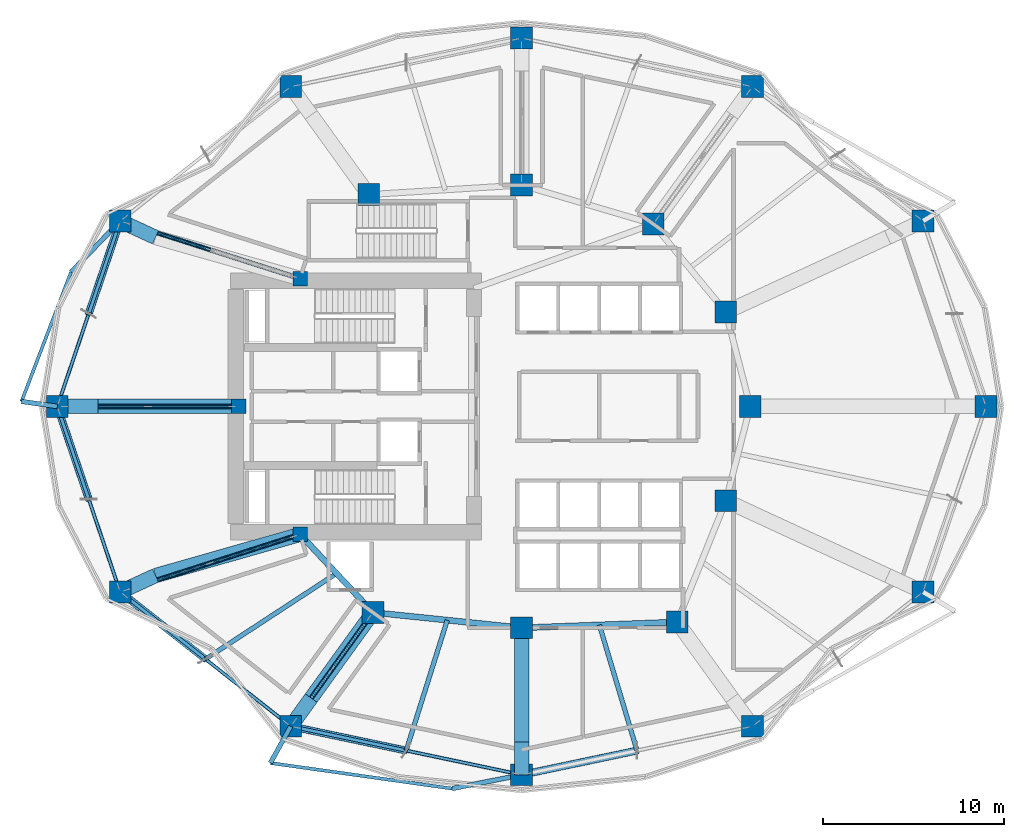
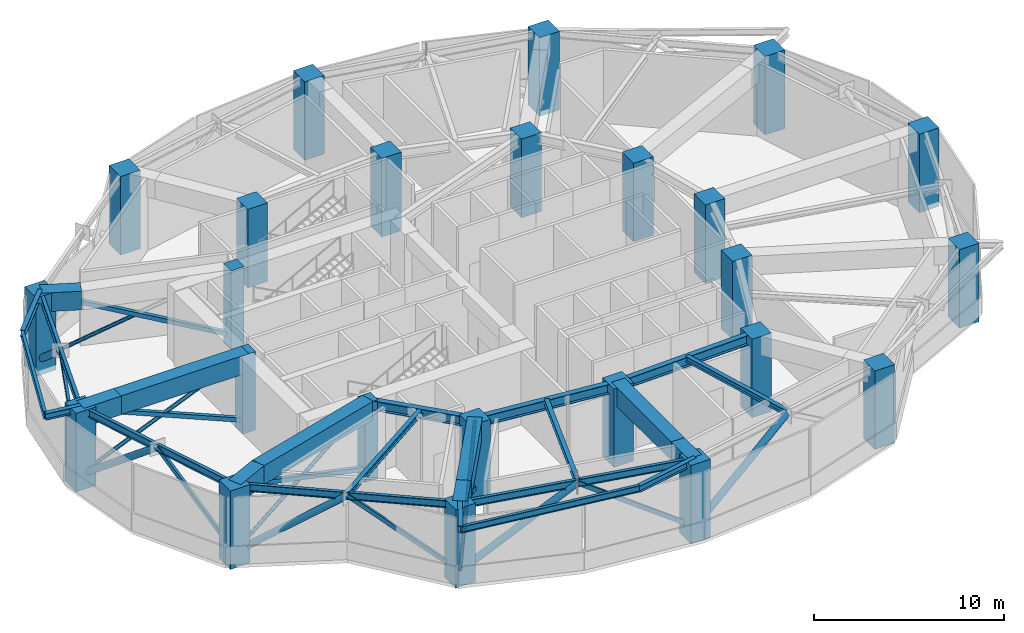
# One storey, part 1 of 12: 25 beams, 24 columns, 20 members.
"""IFC4 building model written with IfcOpenShell, lengths in metres."""

from ifc_helpers import new_model, si_unit, direction, frame, origin, origin_2d, place, context, subcontext, project, spatial, rectangle, hollow_rectangle, hollow_circle, i_section, extrude, material, material_profile, profile_set, type_object, element, save


model = new_model("IFC4")

# Units and contexts
model_context = context("Model", 3, precision=1e-05, world=origin(), true_north=direction((0.0, 1.0)))
body_context = subcontext(model_context, "Body", "Model", "MODEL_VIEW")
ifc_project = project(units=[si_unit("LENGTHUNIT", "METRE"), si_unit("AREAUNIT", "SQUARE_METRE"), si_unit("VOLUMEUNIT", "CUBIC_METRE"), si_unit("PLANEANGLEUNIT", "RADIAN"), si_unit("MASSUNIT", "GRAM", prefix="KILO")], contexts=[model_context])

# Site, building, storey
site_placement = place(None, origin())
site = spatial("IfcSite", under=ifc_project, at=site_placement, CompositionType="ELEMENT")
building_placement = place(site_placement, origin())
building = spatial("IfcBuilding", under=site, at=building_placement, Name="Kolvaren Gate Tower and Convention Centre", CompositionType="ELEMENT")
storey_placement = place(building_placement, frame((0.0, 0.0, 95.800048828125)))
storey = spatial("IfcBuildingStorey", under=building, at=storey_placement, Name="L23", CompositionType="ELEMENT", Elevation=95.800048828125)

# Columns
ifc_material_1 = material(Name="Concrete C70/85", Category="concrete")
ifc_material_profile_1 = material_profile(ifc_material_1, rectangle(XDim=1.199951171875, YDim=1.199951171875, at=origin_2d()), Name="RC-COL-1200X1200")
ifc_profile_set_1 = profile_set([ifc_material_profile_1], Name="Concrete C70/85")
column_type_1 = type_object("IfcColumnType", Name="STR-COL-RC1200", PredefinedType="COLUMN", material=ifc_profile_set_1)
for number, where, z_axis, x_axis, name in (
    (1, (55.71240234375, 27.0, -0.320068359375), (0.0, 0.0, 1.0), (1.0, 0.0, 0.0), "Tower L23 Perimeter Supercolumn TP-01"),
    (2, (52.248779296875, 37.218505859375, -0.320068359375), (0.0, 0.0, 1.0), (1.0, 0.0, 0.0), "Tower L23 Perimeter Supercolumn TP-02"),
    (3, (42.846435546875, 44.627197265625, -0.320068359375), (0.0, 0.0, 1.0), (1.0, 0.0, 0.0), "Tower L23 Perimeter Supercolumn TP-03"),
    (4, (30.125, 47.300048828125, -0.320068359375), (0.0, 0.0, 1.0), (1.0, 0.0, 0.0), "Tower L23 Perimeter Supercolumn TP-04"),
    (5, (17.40380859375, 44.627197265625, -0.320068359375), (0.0, 0.0, 1.0), (1.0, 0.0, 0.0), "Tower L23 Perimeter Supercolumn TP-05"),
    (6, (8.001220703125, 37.218505859375, -0.320068359375), (0.0, 0.0, 1.0), (1.0, 0.0, 0.0), "Tower L23 Perimeter Supercolumn TP-06"),
    (7, (4.53759765625, 27.0, -0.320068359375), (0.0, 0.0, 1.0), (1.0, 0.0, 0.0), "Tower L23 Perimeter Supercolumn TP-07"),
    (8, (8.001220703125, 16.781494140625, -0.320068359375), (0.0, 0.0, 1.0), (1.0, 0.0, 0.0), "Tower L23 Perimeter Supercolumn TP-08"),
    (9, (17.403564453125, 9.372802734375, -0.320068359375), (0.0, 0.0, 1.0), (1.0, 0.0, 0.0), "Tower L23 Perimeter Supercolumn TP-09"),
    (10, (30.125, 6.699951171875, -0.320068359375), (0.0, 0.0, 1.0), (1.0, 0.0, 0.0), "Tower L23 Perimeter Supercolumn TP-10"),
    (11, (42.846435546875, 9.372802734375, -0.320068359375), (0.0, 0.0, 1.0), (1.0, 0.0, 0.0), "Tower L23 Perimeter Supercolumn TP-11"),
    (12, (52.248779296875, 16.781494140625, -0.320068359375), (0.0, 0.0, 1.0), (1.0, 0.0, 0.0), "Tower L23 Perimeter Supercolumn TP-12"),
    (13, (42.72509765625, 27.0, -0.320068359375), (0.0, 0.0, 1.0), (1.0, 0.0, 0.0), "Tower L23 Interior Column TI-01"),
    (14, (41.382080078125, 32.199462890625, -0.320068359375), (0.0, 0.0, 1.0), (1.0, 0.0, 0.0), "Tower L23 Interior Column TI-02"),
    (15, (37.381591796875, 37.054931640625, -0.320068359375), (0.0, 0.0, 1.0), (1.0, 0.0, 0.0), "Tower L23 Interior Column TI-03"),
    (16, (30.125, 39.199951171875, -0.320068359375), (0.0, 0.0, 1.0), (1.0, 0.0, 0.0), "Tower L23 Interior Column TI-04"),
    (17, (21.697998046875, 38.6767578125, -0.320068359375), (0.0, 0.0, 1.0), (1.0, 0.0, 0.0), "Tower L23 Interior Column TI-05"),
    (18, (21.93212890625, 15.647705078125, -0.320068359375), (0.0, 0.0, 1.0), (1.0, 0.0, 0.0), "Tower L23 Interior Column TI-06"),
    (19, (30.125, 14.800048828125, -0.320068359375), (0.0, 0.0, 1.0), (1.0, 0.0, 0.0), "Tower L23 Interior Column TI-07"),
    (20, (38.6982421875, 15.12060546875, -0.320068359375), (0.0, 0.0, 1.0), (1.0, 0.0, 0.0), "Tower L23 Interior Column TI-08"),
    (21, (41.382080078125, 21.800537109375, -0.320068359375), (0.0, 0.0, 1.0), (1.0, 0.0, 0.0), "Tower L23 Interior Column TI-09"),
):
    element("IfcColumn", number, at=place(storey_placement, frame(where, z_axis=z_axis, x_axis=x_axis)), inside=storey, type_object=column_type_1, Name=name, PredefinedType="COLUMN", context=body_context, shape_type="SweptSolid", body=[
        extrude(rectangle(XDim=1.199951171875, YDim=1.199951171875, at=origin_2d()), origin(), (0.0, 0.0, 1.0), 5.0400390625),
    ])
ifc_material_2 = material(Name="Concrete C60/75", Category="concrete")
ifc_material_profile_2 = material_profile(ifc_material_2, rectangle(XDim=0.800048828125, YDim=0.800048828125, at=origin_2d()), Name="RC-COL-800X800")
ifc_profile_set_2 = profile_set([ifc_material_profile_2], Name="Concrete C60/75")
column_type_2 = type_object("IfcColumnType", Name="STR-PIL-RC800", PredefinedType="PILASTER", material=ifc_profile_set_2)
for number, where, z_axis, x_axis, name in (
    (22, (17.9140625, 34.050048828125, -0.320068359375), (0.0, 0.0, 1.0), (1.0, 0.0, 0.0), "Tower L23 Core Boundary Pilaster TC-05"),
    (23, (14.550048828125, 27.0, -0.320068359375), (0.0, 0.0, 1.0), (1.0, 0.0, 0.0), "Tower L23 Core Boundary Pilaster TC-06"),
    (24, (17.9140625, 19.949951171875, -0.320068359375), (0.0, 0.0, 1.0), (1.0, 0.0, 0.0), "Tower L23 Core Boundary Pilaster TC-07"),
):
    element("IfcColumn", number, at=place(storey_placement, frame(where, z_axis=z_axis, x_axis=x_axis)), inside=storey, type_object=column_type_2, Name=name, PredefinedType="PILASTER", context=body_context, shape_type="SweptSolid", body=[
        extrude(rectangle(XDim=0.800048828125, YDim=0.800048828125, at=origin_2d()), origin(), (0.0, 0.0, 1.0), 5.0400390625),
    ])

# Beams
ifc_material_3 = material(Name="Structural steel ASTM A992 Grade 345 MPa", Category="steel")
ifc_material_profile_3 = material_profile(ifc_material_3, i_section(OverallWidth=0.260009765625, OverallDepth=0.419921875, WebThickness=0.013427734375, FlangeThickness=0.0224609375, at=origin_2d()), Name="W410X132")
ifc_profile_set_3 = profile_set([ifc_material_profile_3], Name="Structural steel ASTM A992 Grade 345 MPa")
beam_type_1 = type_object("IfcBeamType", Name="STR-BM-W410X132", PredefinedType="BEAM", material=ifc_profile_set_3)
beam_1_placement = place(storey_placement, frame((8.001220703125, 37.218505859375, 4.510498046875), z_axis=(-0.693806480984, -0.720161486713, 0.0), x_axis=(0.720161486713, -0.693806480984, 0.0)))
element("IfcBeam", 25, at=beam_1_placement, inside=storey, type_object=beam_type_1, Name="Tower L24 Planted Balcony Outrigger Cantilever BC-2A", PredefinedType="BEAM", context=body_context, shape_type="SweptSolid", body=[
    extrude(i_section(OverallWidth=0.260009765625, OverallDepth=0.419921875, WebThickness=0.013427734375, FlangeThickness=0.0224609375, at=origin_2d()), origin(), (0.0, 0.0, 1.0), 3.89990234375),
])
beam_2_placement = place(storey_placement, frame((4.53759765625, 27.0, 4.510498046875), z_axis=(-0.990268200234, 0.139172165338, 0.0), x_axis=(-0.139172165338, -0.990268200234, 0.0)))
element("IfcBeam", 26, at=beam_2_placement, inside=storey, type_object=beam_type_1, Name="Tower L24 Planted Balcony Outrigger Cantilever BC-2B", PredefinedType="BEAM", context=body_context, shape_type="SweptSolid", body=[
    extrude(i_section(OverallWidth=0.260009765625, OverallDepth=0.419921875, WebThickness=0.013427734375, FlangeThickness=0.0224609375, at=origin_2d()), origin(), (0.0, 0.0, 1.0), 1.990966796875),
])
beam_3_placement = place(storey_placement, frame((17.403564453125, 9.372802734375, 4.510498046875), z_axis=(-0.485158658447, -0.87442614104, 0.0), x_axis=(0.87442614104, -0.485158658447, 0.0)))
element("IfcBeam", 27, at=beam_3_placement, inside=storey, type_object=beam_type_1, Name="Tower L24 Planted Balcony Outrigger Cantilever BC-3A", PredefinedType="BEAM", context=body_context, shape_type="SweptSolid", body=[
    extrude(i_section(OverallWidth=0.260009765625, OverallDepth=0.419921875, WebThickness=0.013427734375, FlangeThickness=0.0224609375, at=origin_2d()), origin(), (0.0, 0.0, 1.0), 2.311767578125),
])
beam_4_placement = place(storey_placement, frame((30.125, 6.699951171875, 4.510498046875), z_axis=(-0.980851810971, -0.194755551693, 0.0), x_axis=(0.194755551693, -0.980851810971, 0.0)))
element("IfcBeam", 28, at=beam_4_placement, inside=storey, type_object=beam_type_1, Name="Tower L24 Planted Balcony Outrigger Cantilever BC-3B", PredefinedType="BEAM", context=body_context, shape_type="SweptSolid", body=[
    extrude(i_section(OverallWidth=0.260009765625, OverallDepth=0.419921875, WebThickness=0.013427734375, FlangeThickness=0.0224609375, at=origin_2d()), origin(), (0.0, 0.0, 1.0), 3.89990234375),
])
ifc_material_profile_4 = material_profile(ifc_material_3, i_section(OverallWidth=0.327880859375, OverallDepth=0.6279296875, WebThickness=0.0166015625, FlangeThickness=0.027587890625, at=origin_2d()), Name="W610X217")
ifc_profile_set_4 = profile_set([ifc_material_profile_4], Name="Structural steel ASTM A992 Grade 345 MPa")
beam_type_2 = type_object("IfcBeamType", Name="STR-BM-W610X217", PredefinedType="BEAM", material=ifc_profile_set_4)
beam_5_placement = place(storey_placement, frame((17.9140625, 19.949951171875, 4.406005859375), z_axis=(0.682557592987, -0.730831808459, 0.0), x_axis=(0.730831808459, 0.682557592987, 0.0)))
element("IfcBeam", 29, at=beam_5_placement, inside=storey, type_object=beam_type_2, Name="Tower L23 Primary Ring Girder G-06", PredefinedType="BEAM", context=body_context, shape_type="SweptSolid", body=[
    extrude(i_section(OverallWidth=0.327880859375, OverallDepth=0.6279296875, WebThickness=0.0166015625, FlangeThickness=0.027587890625, at=origin_2d()), origin(), (0.0, 0.0, 1.0), 5.88671875),
])
beam_6_placement = place(storey_placement, frame((21.93212890625, 15.647705078125, 4.406005859375), z_axis=(0.994690329115, -0.102913308978, 0.0), x_axis=(0.102913308978, 0.994690329115, 0.0)))
element("IfcBeam", 30, at=beam_6_placement, inside=storey, type_object=beam_type_2, Name="Tower L23 Primary Ring Girder G-07", PredefinedType="BEAM", context=body_context, shape_type="SweptSolid", body=[
    extrude(i_section(OverallWidth=0.327880859375, OverallDepth=0.6279296875, WebThickness=0.0166015625, FlangeThickness=0.027587890625, at=origin_2d()), origin(), (0.0, 0.0, 1.0), 8.236572265625),
])
beam_7_placement = place(storey_placement, frame((30.125, 14.800048828125, 4.406005859375), z_axis=(0.999301712453, 0.037364254142, 0.0), x_axis=(-0.037364254142, 0.999301712453, 0.0)))
element("IfcBeam", 31, at=beam_7_placement, inside=storey, type_object=beam_type_2, Name="Tower L23 Primary Ring Girder G-08", PredefinedType="BEAM", context=body_context, shape_type="SweptSolid", body=[
    extrude(i_section(OverallWidth=0.327880859375, OverallDepth=0.6279296875, WebThickness=0.0166015625, FlangeThickness=0.027587890625, at=origin_2d()), origin(), (0.0, 0.0, 1.0), 8.579345703125),
])

# Members
ifc_material_4 = material(Name="Structural steel ASTM A500 Grade C 345 MPa", Category="steel")
ifc_material_profile_5 = material_profile(ifc_material_4, hollow_circle(Radius=0.202880859375, WallThickness=0.015869140625, at=origin_2d()), Name="CHS406X15.9")
ifc_profile_set_5 = profile_set([ifc_material_profile_5], Name="Structural steel ASTM A500 Grade C 345 MPa")
member_type_1 = type_object("IfcMemberType", Name="STR-BR-CHS406", PredefinedType="BRACE", material=ifc_profile_set_5)
member_1_placement = place(storey_placement, frame((8.001220703125, 37.218505859375, 0.25), z_axis=(-0.252518321771, -0.744918370412, 0.617520136184), x_axis=(0.947064480109, -0.321043409084, 0.0)))
element("IfcMember", 32, at=member_1_placement, inside=storey, type_object=member_type_1, Name="Perimeter Belt Truss Diagonal BT-L23-06A", PredefinedType="BRACE", context=body_context, shape_type="SweptSolid", body=[
    extrude(hollow_circle(Radius=0.202880859375, WallThickness=0.015869140625, at=origin_2d()), origin(), (0.0, 0.0, 1.0), 6.858642578125),
])
member_2_placement = place(storey_placement, frame((4.53759765625, 27.0, 0.25), z_axis=(0.252478300136, -0.744940908678, 0.617509312106), x_axis=(0.947082902393, 0.320989058996, 0.0)))
element("IfcMember", 33, at=member_2_placement, inside=storey, type_object=member_type_1, Name="Perimeter Belt Truss Diagonal BT-L23-07A", PredefinedType="BRACE", context=body_context, shape_type="SweptSolid", body=[
    extrude(hollow_circle(Radius=0.202880859375, WallThickness=0.015869140625, at=origin_2d()), origin(), (0.0, 0.0, 1.0), 6.85888671875),
])
member_3_placement = place(storey_placement, frame((8.001220703125, 16.781494140625, 0.25), z_axis=(0.641166549876, -0.505215001105, 0.577635921648), x_axis=(0.618912646407, 0.785459824636, 0.0)))
element("IfcMember", 34, at=member_3_placement, inside=storey, type_object=member_type_1, Name="Perimeter Belt Truss Diagonal BT-L23-08A", PredefinedType="BRACE", context=body_context, shape_type="SweptSolid", body=[
    extrude(hollow_circle(Radius=0.202880859375, WallThickness=0.015869140625, at=origin_2d()), origin(), (0.0, 0.0, 1.0), 7.332275390625),
])
for number, where, z_axis, x_axis, name in (
    (35, (17.403564453125, 9.372802734375, 0.25), (0.819925538219, -0.172236603618, 0.545945660437), (0.20557695324, 0.978640953719, 0.0), "Perimeter Belt Truss Diagonal BT-L23-09A"),
    (36, (30.125, 6.699951171875, 0.25), (0.819906333973, 0.172302121771, 0.545953828034), (-0.205656460373, 0.978624248783, 0.0), "Perimeter Belt Truss Diagonal BT-L23-10A"),
):
    element("IfcMember", number, at=place(storey_placement, frame(where, z_axis=z_axis, x_axis=x_axis)), inside=storey, type_object=member_type_1, Name=name, PredefinedType="BRACE", context=body_context, shape_type="SweptSolid", body=[
        extrude(hollow_circle(Radius=0.202880859375, WallThickness=0.015869140625, at=origin_2d()), origin(), (0.0, 0.0, 1.0), 7.7578125),
    ])
ifc_material_profile_6 = material_profile(ifc_material_4, hollow_rectangle(XDim=0.152099609375, YDim=0.25390625, WallThickness=0.009521484375, at=origin_2d()), Name="HSS254X152X9.5")
ifc_profile_set_6 = profile_set([ifc_material_profile_6], Name="Structural steel ASTM A500 Grade C 345 MPa")
member_type_2 = type_object("IfcMemberType", Name="STR-BR-HSS254X152", PredefinedType="BRACE", material=ifc_profile_set_6)
member_4_placement = place(storey_placement, frame((4.53759765625, 27.0, 0.25), z_axis=(0.252478300136, 0.744940908678, 0.617509312106), x_axis=(-0.947082902393, 0.320989058996, 0.0)))
element("IfcMember", 37, at=member_4_placement, inside=storey, type_object=member_type_2, Name="Perimeter Belt Truss Diagonal BT-L23-06B", PredefinedType="BRACE", context=body_context, shape_type="SweptSolid", body=[
    extrude(hollow_rectangle(XDim=0.152099609375, YDim=0.25390625, WallThickness=0.009521484375, at=origin_2d()), origin(), (0.0, 0.0, 1.0), 6.85888671875),
])
member_5_placement = place(storey_placement, frame((8.001220703125, 16.781494140625, 0.25), z_axis=(-0.252518321771, 0.744918370412, 0.617520136184), x_axis=(-0.947064480109, -0.321043409084, 0.0)))
element("IfcMember", 38, at=member_5_placement, inside=storey, type_object=member_type_2, Name="Perimeter Belt Truss Diagonal BT-L23-07B", PredefinedType="BRACE", context=body_context, shape_type="SweptSolid", body=[
    extrude(hollow_rectangle(XDim=0.152099609375, YDim=0.25390625, WallThickness=0.009521484375, at=origin_2d()), origin(), (0.0, 0.0, 1.0), 6.858642578125),
])
member_6_placement = place(storey_placement, frame((17.403564453125, 9.372802734375, 0.25), z_axis=(-0.641166549876, 0.505215001105, 0.577635921648), x_axis=(-0.618912646407, -0.785459824636, 0.0)))
element("IfcMember", 39, at=member_6_placement, inside=storey, type_object=member_type_2, Name="Perimeter Belt Truss Diagonal BT-L23-08B", PredefinedType="BRACE", context=body_context, shape_type="SweptSolid", body=[
    extrude(hollow_rectangle(XDim=0.152099609375, YDim=0.25390625, WallThickness=0.009521484375, at=origin_2d()), origin(), (0.0, 0.0, 1.0), 7.332275390625),
])
member_7_placement = place(storey_placement, frame((30.125, 6.699951171875, 0.25), z_axis=(-0.819906333973, 0.172302121771, 0.545953828034), x_axis=(-0.205656460373, -0.978624248783, 0.0)))
element("IfcMember", 40, at=member_7_placement, inside=storey, type_object=member_type_2, Name="Perimeter Belt Truss Diagonal BT-L23-09B", PredefinedType="BRACE", context=body_context, shape_type="SweptSolid", body=[
    extrude(hollow_rectangle(XDim=0.152099609375, YDim=0.25390625, WallThickness=0.009521484375, at=origin_2d()), origin(), (0.0, 0.0, 1.0), 7.7578125),
])
ifc_material_profile_7 = material_profile(ifc_material_4, hollow_rectangle(XDim=0.25390625, YDim=0.25390625, WallThickness=0.015869140625, at=origin_2d()), Name="HSS254X254X15.9")
ifc_profile_set_7 = profile_set([ifc_material_profile_7], Name="Structural steel ASTM A500 Grade C 345 MPa")
member_type_3 = type_object("IfcMemberType", Name="STR-BR-HSS254X254", PredefinedType="BRACE", material=ifc_profile_set_7)
member_8_placement = place(storey_placement, frame((17.9140625, 34.050048828125, 0.25), z_axis=(-0.882260148961, 0.281998182726, 0.376953650326), x_axis=(-0.304457355507, -0.952525967456, 0.0)))
element("IfcMember", 41, at=member_8_placement, inside=storey, type_object=member_type_3, Name="Outrigger Truss Diagonal OT-L23-01A", PredefinedType="BRACE", context=body_context, shape_type="SweptSolid", body=[
    extrude(hollow_rectangle(XDim=0.25390625, YDim=0.25390625, WallThickness=0.015869140625, at=origin_2d()), origin(), (0.0, 0.0, 1.0), 11.23583984375),
])
member_9_placement = place(storey_placement, frame((14.550048828125, 27.0, 0.25), z_axis=(-0.920989875721, 0.0, 0.389586510058), x_axis=(0.0, -1.0, 0.0)))
element("IfcMember", 42, at=member_9_placement, inside=storey, type_object=member_type_3, Name="Outrigger Truss Diagonal OT-L23-02A", PredefinedType="BRACE", context=body_context, shape_type="SweptSolid", body=[
    extrude(hollow_rectangle(XDim=0.25390625, YDim=0.25390625, WallThickness=0.015869140625, at=origin_2d()), origin(), (0.0, 0.0, 1.0), 10.871337890625),
])
member_10_placement = place(storey_placement, frame((17.9140625, 19.949951171875, 0.25), z_axis=(-0.882260148961, -0.281998182726, 0.376953650326), x_axis=(0.304457355507, -0.952525967456, 0.0)))
element("IfcMember", 43, at=member_10_placement, inside=storey, type_object=member_type_3, Name="Outrigger Truss Diagonal OT-L23-03A", PredefinedType="BRACE", context=body_context, shape_type="SweptSolid", body=[
    extrude(hollow_rectangle(XDim=0.25390625, YDim=0.25390625, WallThickness=0.015869140625, at=origin_2d()), origin(), (0.0, 0.0, 1.0), 11.23583984375),
])
member_11_placement = place(storey_placement, frame((21.93212890625, 15.647705078125, 0.25), z_axis=(-0.513349980203, -0.711311725225, 0.480111890483), x_axis=(0.810882170821, -0.585209453994, 0.0)))
element("IfcMember", 44, at=member_11_placement, inside=storey, type_object=member_type_3, Name="Outrigger Truss Diagonal OT-L23-06A", PredefinedType="BRACE", context=body_context, shape_type="SweptSolid", body=[
    extrude(hollow_rectangle(XDim=0.25390625, YDim=0.25390625, WallThickness=0.015869140625, at=origin_2d()), origin(), (0.0, 0.0, 1.0), 8.821533203125),
])

# Beams
ifc_material_profile_8 = material_profile(ifc_material_3, i_section(OverallWidth=0.2548828125, OverallDepth=0.35693359375, WebThickness=0.010498046875, FlangeThickness=0.018310546875, at=origin_2d()), Name="W360X101")
ifc_profile_set_8 = profile_set([ifc_material_profile_8], Name="Structural steel ASTM A992 Grade 345 MPa")
beam_type_3 = type_object("IfcBeamType", Name="STR-JS-W360X101", PredefinedType="JOIST", material=ifc_profile_set_8)
beam_8_placement = place(storey_placement, frame((19.923095703125, 17.798828125, 4.54150390625), z_axis=(-0.836945684387, -0.547285959428, 0.0), x_axis=(0.547285959428, -0.836945684387, 0.0)))
element("IfcBeam", 45, at=beam_8_placement, inside=storey, type_object=beam_type_3, Name="Tower L23 Secondary Composite Floor Joist J-08.1", PredefinedType="JOIST", context=body_context, shape_type="SweptSolid", body=[
    extrude(i_section(OverallWidth=0.2548828125, OverallDepth=0.35693359375, WebThickness=0.010498046875, FlangeThickness=0.018310546875, at=origin_2d()), origin(), (0.0, 0.0, 1.0), 8.62744140625),
])
beam_9_placement = place(storey_placement, frame((26.028564453125, 15.223876953125, 4.54150390625), z_axis=(-0.300467647472, -0.953792007108, 0.0), x_axis=(0.953792007108, -0.300467647472, 0.0)))
element("IfcBeam", 46, at=beam_9_placement, inside=storey, type_object=beam_type_3, Name="Tower L23 Secondary Composite Floor Joist J-09.1", PredefinedType="JOIST", context=body_context, shape_type="SweptSolid", body=[
    extrude(i_section(OverallWidth=0.2548828125, OverallDepth=0.35693359375, WebThickness=0.010498046875, FlangeThickness=0.018310546875, at=origin_2d()), origin(), (0.0, 0.0, 1.0), 7.535400390625),
])
beam_10_placement = place(storey_placement, frame((34.41162109375, 14.960205078125, 4.54150390625), z_axis=(0.286954287166, -0.957944276603, 0.0), x_axis=(0.957944276603, 0.286954287166, 0.0)))
element("IfcBeam", 47, at=beam_10_placement, inside=storey, type_object=beam_type_3, Name="Tower L23 Secondary Composite Floor Joist J-10.1", PredefinedType="JOIST", context=body_context, shape_type="SweptSolid", body=[
    extrude(i_section(OverallWidth=0.2548828125, OverallDepth=0.35693359375, WebThickness=0.010498046875, FlangeThickness=0.018310546875, at=origin_2d()), origin(), (0.0, 0.0, 1.0), 7.2275390625),
])
ifc_material_profile_9 = material_profile(ifc_material_3, i_section(OverallWidth=0.180908203125, OverallDepth=0.4169921875, WebThickness=0.010986328125, FlangeThickness=0.018310546875, at=origin_2d()), Name="W410X85")
ifc_profile_set_9 = profile_set([ifc_material_profile_9], Name="Structural steel ASTM A992 Grade 345 MPa")
beam_type_4 = type_object("IfcBeamType", Name="STR-SP-W410X85", PredefinedType="SPANDREL", material=ifc_profile_set_9)
beam_11_placement = place(storey_placement, frame((5.29541015625, 34.409912109375, 4.511962890625), z_axis=(-0.357393383533, -0.933953943943, 0.0), x_axis=(0.933953943943, -0.357393383533, 0.0)))
element("IfcBeam", 48, at=beam_11_placement, inside=storey, type_object=beam_type_4, Name="Tower L24 Planted Balcony Header Tie Beam BT-2", PredefinedType="SPANDREL", context=body_context, shape_type="SweptSolid", body=[
    extrude(i_section(OverallWidth=0.180908203125, OverallDepth=0.4169921875, WebThickness=0.010986328125, FlangeThickness=0.018310546875, at=origin_2d()), origin(), (0.0, 0.0, 1.0), 7.63720703125),
])
beam_12_placement = place(storey_placement, frame((16.281982421875, 7.351318359375, 4.511962890625), z_axis=(0.990227490846, -0.139461522911, 0.0), x_axis=(0.139461522911, 0.990227490846, 0.0)))
element("IfcBeam", 49, at=beam_12_placement, inside=storey, type_object=beam_type_4, Name="Tower L24 Planted Balcony Header Tie Beam BT-3", PredefinedType="SPANDREL", context=body_context, shape_type="SweptSolid", body=[
    extrude(i_section(OverallWidth=0.180908203125, OverallDepth=0.4169921875, WebThickness=0.010986328125, FlangeThickness=0.018310546875, at=origin_2d()), origin(), (0.0, 0.0, 1.0), 10.11669921875),
])
ifc_material_profile_10 = material_profile(ifc_material_3, i_section(OverallWidth=0.194091796875, OverallDepth=0.468994140625, WebThickness=0.0126953125, FlangeThickness=0.0205078125, at=origin_2d()), Name="W460X106")
ifc_profile_set_10 = profile_set([ifc_material_profile_10], Name="Structural steel ASTM A992 Grade 345 MPa")
beam_type_5 = type_object("IfcBeamType", Name="STR-SP-W460X106", PredefinedType="SPANDREL", material=ifc_profile_set_10)
for number, where, z_axis, x_axis, name in (
    (50, (8.001220703125, 37.218505859375, 4.4853515625), (-0.321016233787, -0.947073691771, 0.0), (0.947073691771, -0.321016233787, 0.0), "Tower L23 Perimeter Spandrel Beam SP-06"),
    (51, (4.53759765625, 27.0, 4.4853515625), (0.321016233787, -0.947073691771, 0.0), (0.947073691771, 0.321016233787, 0.0), "Tower L23 Perimeter Spandrel Beam SP-07"),
):
    element("IfcBeam", number, at=place(storey_placement, frame(where, z_axis=z_axis, x_axis=x_axis)), inside=storey, type_object=beam_type_5, Name=name, PredefinedType="SPANDREL", context=body_context, shape_type="SweptSolid", body=[
        extrude(i_section(OverallWidth=0.194091796875, OverallDepth=0.468994140625, WebThickness=0.0126953125, FlangeThickness=0.0205078125, at=origin_2d()), origin(), (0.0, 0.0, 1.0), 10.78955078125),
    ])
beam_13_placement = place(storey_placement, frame((8.001220703125, 16.781494140625, 4.4853515625), z_axis=(0.785459824636, -0.618912646407, 0.0), x_axis=(0.618912646407, 0.785459824636, 0.0)))
element("IfcBeam", 52, at=beam_13_placement, inside=storey, type_object=beam_type_5, Name="Tower L23 Perimeter Spandrel Beam SP-08", PredefinedType="SPANDREL", context=body_context, shape_type="SweptSolid", body=[
    extrude(i_section(OverallWidth=0.194091796875, OverallDepth=0.468994140625, WebThickness=0.0126953125, FlangeThickness=0.0205078125, at=origin_2d()), origin(), (0.0, 0.0, 1.0), 11.970458984375),
])
beam_14_placement = place(storey_placement, frame((17.403564453125, 9.372802734375, 4.4853515625), z_axis=(0.978632602148, -0.205616706552, 0.0), x_axis=(0.205616706552, 0.978632602148, 0.0)))
element("IfcBeam", 53, at=beam_14_placement, inside=storey, type_object=beam_type_5, Name="Tower L23 Perimeter Spandrel Beam SP-09", PredefinedType="SPANDREL", context=body_context, shape_type="SweptSolid", body=[
    extrude(i_section(OverallWidth=0.194091796875, OverallDepth=0.468994140625, WebThickness=0.0126953125, FlangeThickness=0.0205078125, at=origin_2d()), origin(), (0.0, 0.0, 1.0), 12.999267578125),
])

# Members
ifc_material_profile_11 = material_profile(ifc_material_4, hollow_circle(Radius=0.109619140625, WallThickness=0.0126953125, at=origin_2d()), Name="CHS219X12.7")
ifc_profile_set_11 = profile_set([ifc_material_profile_11], Name="Structural steel ASTM A500 Grade C 345 MPa")
member_type_4 = type_object("IfcMemberType", Name="STR-ST-CHS219", PredefinedType="STRUT", material=ifc_profile_set_11)
member_12_placement = place(storey_placement, frame((8.001220703125, 37.218505859375, 0.25), z_axis=(0.88225533332, -0.282003588883, 0.376960876864), x_axis=(0.304464158988, 0.952523792822, 0.0)))
element("IfcMember", 54, at=member_12_placement, inside=storey, type_object=member_type_4, Name="Outrigger Truss Lower Counter-Strut OT-L23-01BA", PredefinedType="STRUT", context=body_context, shape_type="SweptSolid", body=[
    extrude(hollow_circle(Radius=0.109619140625, WallThickness=0.0126953125, at=origin_2d()), origin(), (0.0, 0.0, 1.0), 5.61767578125),
])
member_13_placement = place(storey_placement, frame((4.53759765625, 27.0, 0.25), z_axis=(0.920986467123, 0.0, 0.38959456795), x_axis=(0.0, 1.0, 0.0)))
element("IfcMember", 55, at=member_13_placement, inside=storey, type_object=member_type_4, Name="Outrigger Truss Lower Counter-Strut OT-L23-02BA", PredefinedType="STRUT", context=body_context, shape_type="SweptSolid", body=[
    extrude(hollow_circle(Radius=0.109619140625, WallThickness=0.0126953125, at=origin_2d()), origin(), (0.0, 0.0, 1.0), 5.435546875),
])
member_14_placement = place(storey_placement, frame((9.543701171875, 27.0, 2.36767578125), z_axis=(0.920993284108, 0.0, 0.38957845247), x_axis=(0.0, 1.0, 0.0)))
element("IfcMember", 56, at=member_14_placement, inside=storey, type_object=member_type_4, Name="Outrigger Truss Upper Counter-Strut OT-L23-02BB", PredefinedType="STRUT", context=body_context, shape_type="SweptSolid", body=[
    extrude(hollow_circle(Radius=0.109619140625, WallThickness=0.0126953125, at=origin_2d()), origin(), (0.0, 0.0, 1.0), 5.435791015625),
])
member_15_placement = place(storey_placement, frame((8.001220703125, 16.781494140625, 0.25), z_axis=(0.88225533332, 0.282003588883, 0.376960876864), x_axis=(-0.304464158988, 0.952523792822, 0.0)))
element("IfcMember", 57, at=member_15_placement, inside=storey, type_object=member_type_4, Name="Outrigger Truss Lower Counter-Strut OT-L23-03BA", PredefinedType="STRUT", context=body_context, shape_type="SweptSolid", body=[
    extrude(hollow_circle(Radius=0.109619140625, WallThickness=0.0126953125, at=origin_2d()), origin(), (0.0, 0.0, 1.0), 5.61767578125),
])
member_16_placement = place(storey_placement, frame((12.95751953125, 18.36572265625, 2.36767578125), z_axis=(0.882264964326, 0.281992776747, 0.376946424025), x_axis=(-0.304450552314, 0.952528141944, 0.0)))
element("IfcMember", 58, at=member_16_placement, inside=storey, type_object=member_type_4, Name="Outrigger Truss Upper Counter-Strut OT-L23-03BB", PredefinedType="STRUT", context=body_context, shape_type="SweptSolid", body=[
    extrude(hollow_circle(Radius=0.109619140625, WallThickness=0.0126953125, at=origin_2d()), origin(), (0.0, 0.0, 1.0), 5.617919921875),
])
member_17_placement = place(storey_placement, frame((17.403564453125, 9.372802734375, 0.25), z_axis=(0.51337036188, 0.711301619464, 0.480105069429), x_axis=(-0.810867199518, 0.58523019808, 0.0)))
element("IfcMember", 59, at=member_17_placement, inside=storey, type_object=member_type_4, Name="Outrigger Truss Lower Counter-Strut OT-L23-06BA", PredefinedType="STRUT", context=body_context, shape_type="SweptSolid", body=[
    extrude(hollow_circle(Radius=0.109619140625, WallThickness=0.0126953125, at=origin_2d()), origin(), (0.0, 0.0, 1.0), 4.410888671875),
])
member_18_placement = place(storey_placement, frame((19.66796875, 12.51025390625, 2.36767578125), z_axis=(0.513329597658, 0.711321830871, 0.48011871146), x_axis=(-0.810897142146, 0.585188708759, 0.0)))
element("IfcMember", 60, at=member_18_placement, inside=storey, type_object=member_type_4, Name="Outrigger Truss Upper Counter-Strut OT-L23-06BB", PredefinedType="STRUT", context=body_context, shape_type="SweptSolid", body=[
    extrude(hollow_circle(Radius=0.109619140625, WallThickness=0.0126953125, at=origin_2d()), origin(), (0.0, 0.0, 1.0), 4.41064453125),
])

# Beams
ifc_material_profile_12 = material_profile(ifc_material_1, rectangle(XDim=0.800048828125, YDim=1.199951171875, at=origin_2d()), Name="RC-BM-800X1200")
ifc_profile_set_12 = profile_set([ifc_material_profile_12], Name="Concrete C70/85")
beam_type_6 = type_object("IfcBeamType", Name="STR-TG-RC800X1200", PredefinedType="USERDEFINED", material=ifc_profile_set_12)
beam_15_placement = place(storey_placement, frame((9.94970703125, 36.318603515625, 4.120361328125), z_axis=(-0.907852816922, 0.419288996764, 0.0), x_axis=(-0.419288996764, -0.907852816922, 0.0)))
element("IfcBeam", 61, at=beam_15_placement, inside=storey, type_object=beam_type_6, Name="Tower L23 Zone-Transition Radial Transfer Girder XFG-06B", ObjectType="TRANSFER GIRDER", PredefinedType="USERDEFINED", context=body_context, shape_type="SweptSolid", body=[
    extrude(rectangle(XDim=0.800048828125, YDim=1.199951171875, at=origin_2d()), origin(), (0.0, 0.0, 1.0), 2.146240234375),
])
beam_16_placement = place(storey_placement, frame((14.550048828125, 27.0, 4.120361328125), z_axis=(-1.0, 0.0, 0.0), x_axis=(0.0, -1.0, 0.0)))
element("IfcBeam", 62, at=beam_16_placement, inside=storey, type_object=beam_type_6, Name="Tower L23 Zone-Transition Radial Transfer Girder XFG-07A", ObjectType="TRANSFER GIRDER", PredefinedType="USERDEFINED", context=body_context, shape_type="SweptSolid", body=[
    extrude(rectangle(XDim=0.800048828125, YDim=1.199951171875, at=origin_2d()), origin(), (0.0, 0.0, 1.0), 7.762451171875),
])
beam_17_placement = place(storey_placement, frame((6.78759765625, 27.0, 4.120361328125), z_axis=(-1.0, 0.0, 0.0), x_axis=(0.0, -1.0, 0.0)))
element("IfcBeam", 63, at=beam_17_placement, inside=storey, type_object=beam_type_6, Name="Tower L23 Zone-Transition Radial Transfer Girder XFG-07B", ObjectType="TRANSFER GIRDER", PredefinedType="USERDEFINED", context=body_context, shape_type="SweptSolid", body=[
    extrude(rectangle(XDim=0.800048828125, YDim=1.199951171875, at=origin_2d()), origin(), (0.0, 0.0, 1.0), 2.25),
])
beam_18_placement = place(storey_placement, frame((17.9140625, 19.949951171875, 4.120361328125), z_axis=(-0.961746134311, -0.27394228067, 0.0), x_axis=(0.27394228067, -0.961746134311, 0.0)))
element("IfcBeam", 64, at=beam_18_placement, inside=storey, type_object=beam_type_6, Name="Tower L23 Zone-Transition Radial Transfer Girder XFG-08A", ObjectType="TRANSFER GIRDER", PredefinedType="USERDEFINED", context=body_context, shape_type="SweptSolid", body=[
    extrude(rectangle(XDim=0.800048828125, YDim=1.199951171875, at=origin_2d()), origin(), (0.0, 0.0, 1.0), 8.28125),
])
beam_19_placement = place(storey_placement, frame((9.94970703125, 17.681396484375, 4.120361328125), z_axis=(-0.907852816922, -0.419288996764, 0.0), x_axis=(0.419288996764, -0.907852816922, 0.0)))
element("IfcBeam", 65, at=beam_19_placement, inside=storey, type_object=beam_type_6, Name="Tower L23 Zone-Transition Radial Transfer Girder XFG-08B", ObjectType="TRANSFER GIRDER", PredefinedType="USERDEFINED", context=body_context, shape_type="SweptSolid", body=[
    extrude(rectangle(XDim=0.800048828125, YDim=1.199951171875, at=origin_2d()), origin(), (0.0, 0.0, 1.0), 2.146240234375),
])
beam_20_placement = place(storey_placement, frame((21.93212890625, 15.647705078125, 4.120361328125), z_axis=(-0.585210043569, -0.810881745328, 0.0), x_axis=(0.810881745328, -0.585210043569, 0.0)))
element("IfcBeam", 66, at=beam_20_placement, inside=storey, type_object=beam_type_6, Name="Tower L23 Zone-Transition Radial Transfer Girder XFG-09A", ObjectType="TRANSFER GIRDER", PredefinedType="USERDEFINED", context=body_context, shape_type="SweptSolid", body=[
    extrude(rectangle(XDim=0.800048828125, YDim=1.199951171875, at=origin_2d()), origin(), (0.0, 0.0, 1.0), 5.81591796875),
])
beam_21_placement = place(storey_placement, frame((18.528564453125, 10.931640625, 4.120361328125), z_axis=(-0.585207670307, -0.810883458096, 0.0), x_axis=(0.810883458096, -0.585207670307, 0.0)))
element("IfcBeam", 67, at=beam_21_placement, inside=storey, type_object=beam_type_6, Name="Tower L23 Zone-Transition Radial Transfer Girder XFG-09B", ObjectType="TRANSFER GIRDER", PredefinedType="USERDEFINED", context=body_context, shape_type="SweptSolid", body=[
    extrude(rectangle(XDim=0.800048828125, YDim=1.199951171875, at=origin_2d()), origin(), (0.0, 0.0, 1.0), 1.92236328125),
])
beam_22_placement = place(storey_placement, frame((30.125, 14.800048828125, 4.120361328125), z_axis=(0.0, -1.0, 0.0), x_axis=(1.0, 0.0, 0.0)))
element("IfcBeam", 68, at=beam_22_placement, inside=storey, type_object=beam_type_6, Name="Tower L23 Zone-Transition Radial Transfer Girder XFG-10A", ObjectType="TRANSFER GIRDER", PredefinedType="USERDEFINED", context=body_context, shape_type="SweptSolid", body=[
    extrude(rectangle(XDim=0.800048828125, YDim=1.199951171875, at=origin_2d()), origin(), (0.0, 0.0, 1.0), 6.300048828125),
])
beam_23_placement = place(storey_placement, frame((30.125, 8.5, 4.120361328125), z_axis=(0.0, -1.0, 0.0), x_axis=(1.0, 0.0, 0.0)))
element("IfcBeam", 69, at=beam_23_placement, inside=storey, type_object=beam_type_6, Name="Tower L23 Zone-Transition Radial Transfer Girder XFG-10B", ObjectType="TRANSFER GIRDER", PredefinedType="USERDEFINED", context=body_context, shape_type="SweptSolid", body=[
    extrude(rectangle(XDim=0.800048828125, YDim=1.199951171875, at=origin_2d()), origin(), (0.0, 0.0, 1.0), 1.800048828125),
])

save(model, "model.ifc")
